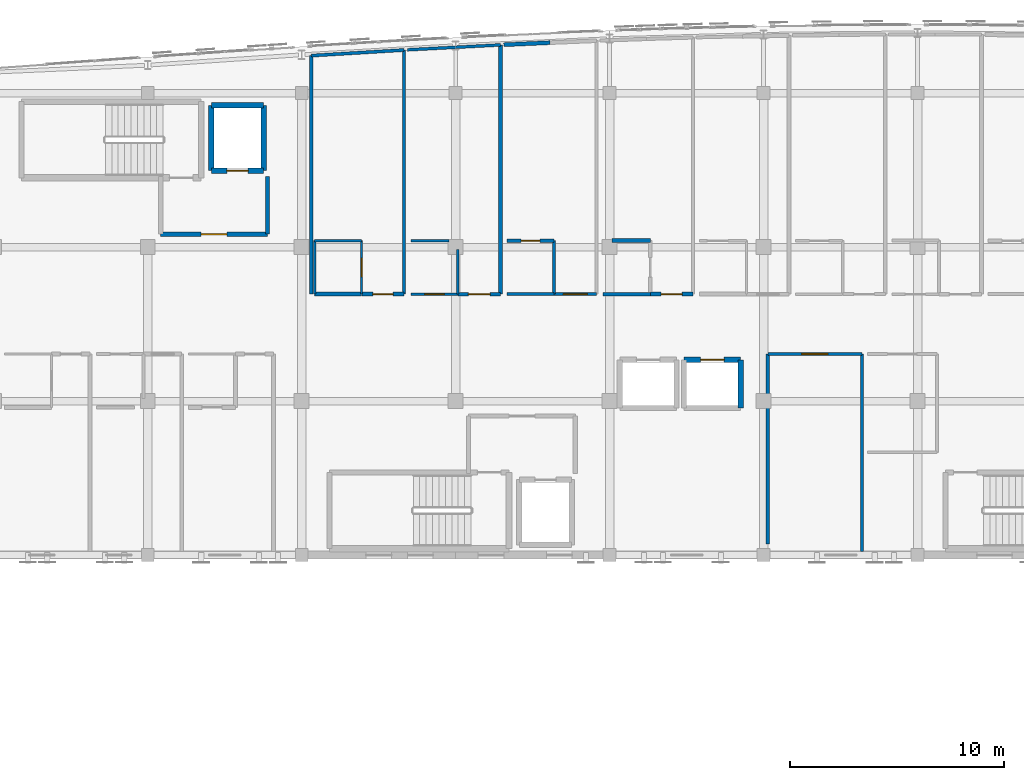
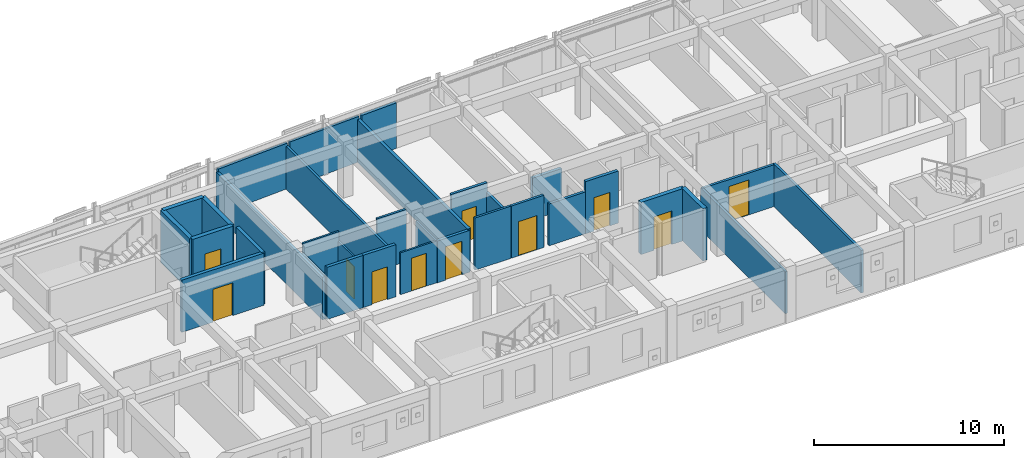
# One storey, part 40 of 50: 33 walls, 11 doors, 11 openings.
"""IFC4 building model written with IfcOpenShell, lengths in metres."""

from ifc_helpers import new_model, si_unit, direction, frame, frame_2d, origin, place, context, subcontext, project, spatial, rectangle, extrude, material, layer, layer_set, type_object, element, fill, save


model = new_model("IFC4")

# Units and contexts
model_context = context("Model", 3, precision=1e-05, world=origin(), true_north=direction((0.0, 1.0)))
body_context = subcontext(model_context, "Body", "Model", "MODEL_VIEW")
ifc_project = project(units=[si_unit("LENGTHUNIT", "METRE"), si_unit("AREAUNIT", "SQUARE_METRE"), si_unit("VOLUMEUNIT", "CUBIC_METRE"), si_unit("PLANEANGLEUNIT", "RADIAN"), si_unit("MASSUNIT", "GRAM", prefix="KILO")], contexts=[model_context])

# Site, building, storey
site_placement = place(None, origin())
site = spatial("IfcSite", under=ifc_project, at=site_placement, CompositionType="ELEMENT")
building_placement = place(site_placement, origin())
building = spatial("IfcBuilding", under=site, at=building_placement, Name="Carrowvane Square Congress Hotel", CompositionType="ELEMENT")
storey_placement = place(building_placement, frame((0.0, 0.0, 22.800048828125)))
storey = spatial("IfcBuildingStorey", under=building, at=storey_placement, Name="L05", CompositionType="ELEMENT", Elevation=22.800048828125)

# Walls
ifc_material_1 = material(Name="Acoustic gypsum board", Category="gypsum")
ifc_layer_1 = layer(ifc_material_1, 0.155029296875)
ifc_layer_set_1 = layer_set([ifc_layer_1], Name="Acoustic gypsum board")
wall_type_1 = type_object("IfcWallType", Name="WL-FIR-155", PredefinedType="PARTITIONING", material=ifc_layer_set_1)
wall_1_placement = place(storey_placement, frame((91.0, 92.320068359375, 0.0), z_axis=(0.0, 0.0, 1.0), x_axis=(0.0, 1.0, 0.0)))
element("IfcWall", 1, at=wall_1_placement, inside=storey, type_object=wall_type_1, Name="L05 L05 Housekeeping Linen Pantry partition", PredefinedType="PARTITIONING", context=body_context, shape_type="SweptSolid", body=[
    extrude(rectangle(XDim=8.8798828125, YDim=0.155029296875, at=frame_2d((4.43994140625, 0.0))), origin(), (0.0, 0.0, 1.0), 2.68505859375),
])
wall_2_placement = place(storey_placement, frame((69.64990234375, 104.0, 0.0), z_axis=(0.0, 0.0, 1.0), x_axis=(0.0, 1.0, 0.0)))
element("IfcWall", 2, at=wall_2_placement, inside=storey, type_object=wall_type_1, Name="L05 Parkview Guest Bedroom 0516 partition", PredefinedType="PARTITIONING", context=body_context, shape_type="SweptSolid", body=[
    extrude(rectangle(XDim=11.15234375, YDim=0.155029296875, at=frame_2d((5.576171875, 0.0))), origin(), (0.0, 0.0, 1.0), 2.73486328125),
])

# Wall, opening, door
wall_3_placement = place(storey_placement, frame((78.800048828125, 106.5, 0.0), z_axis=(0.0, 0.0, 1.0), x_axis=(1.0, 0.0, 0.0)))
wall_3 = element("IfcWall", 3, at=wall_3_placement, inside=storey, type_object=wall_type_1, Name="L05 En-suite Bathroom 0518 partition", PredefinedType="PARTITIONING", context=body_context, shape_type="SweptSolid", body=[
    extrude(rectangle(XDim=2.199951171875, YDim=0.155029296875, at=frame_2d((1.10009765625, 0.0))), origin(), (0.0, 0.0, 1.0), 3.349853515625),
])
opening_1_placement = place(wall_3_placement, frame((0.659912109375, 0.0, 0.0)))
opening_1 = element("IfcOpeningElement", 4, at=opening_1_placement, cuts=wall_3, Name="Opening ID-01", PredefinedType="OPENING", context=body_context, shape_type="SweptSolid", body=[
    extrude(rectangle(XDim=0.8798828125, YDim=2.06005859375, at=frame_2d((0.43994140625, 1.030029296875))), frame((0.0, 0.08740234375, 0.0), z_axis=(0.0, -1.0, 0.0), x_axis=(1.0, 0.0, 0.0)), (0.0, 0.0, 1.0), 0.175048828125),
])
ifc_material_2 = material(Name="European oak timber", Category="wood")
door_type_1 = type_object("IfcDoorType", Name="DR-INT-0880x2060", OperationType="NOTDEFINED", PredefinedType="DOOR", material=ifc_material_2)
door_1_placement = place(opening_1_placement, origin())
door_1 = element("IfcDoor", 5, at=door_1_placement, inside=storey, type_object=door_type_1, Name="L05 En-suite Bathroom 0518 door", OperationType="SINGLE_SWING_LEFT", OverallHeight=2.06005859375, OverallWidth=0.8798828125, PredefinedType="DOOR", context=body_context, shape_type="SweptSolid", body=[
    extrude(rectangle(XDim=0.8798828125, YDim=2.06005859375, at=frame_2d((0.43994140625, 1.030029296875))), frame((0.0, 0.02490234375, 0.0), z_axis=(0.0, -1.0, 0.0), x_axis=(1.0, 0.0, 0.0)), (0.0, 0.0, 1.0), 0.050048828125),
])
fill(opening_1, door_1)

# Wall
wall_4_placement = place(storey_placement, frame((85.5, 104.0, 0.0), z_axis=(0.0, 0.0, 1.0), x_axis=(-1.0, 0.0, 0.0)))
element("IfcWall", 6, at=wall_4_placement, inside=storey, type_object=wall_type_1, Name="L05 En-suite Bathroom 0519 partition", PredefinedType="PARTITIONING", context=body_context, shape_type="SweptSolid", body=[
    extrude(rectangle(XDim=2.199951171875, YDim=0.155029296875, at=frame_2d((1.10009765625, 0.0))), origin(), (0.0, 0.0, 1.0), 2.68505859375),
])

# Wall, opening, door
ifc_material_3 = material(Name="Acoustic gypsum board", Category="gypsum")
ifc_layer_2 = layer(ifc_material_3, 0.169921875)
ifc_layer_set_2 = layer_set([ifc_layer_2], Name="Acoustic gypsum board")
wall_type_2 = type_object("IfcWallType", Name="WL-FIR-170", PredefinedType="PARTITIONING", material=ifc_layer_set_2)
wall_5_placement = place(storey_placement, frame((78.489990234375, 104.0, 0.0), z_axis=(0.0, 0.0, 1.0), x_axis=(-1.0, 0.0, 0.0)))
wall_5 = element("IfcWall", 7, at=wall_5_placement, inside=storey, type_object=wall_type_2, Name="L05 Parkview Guest Bedroom 0517 partition", PredefinedType="PARTITIONING", context=body_context, shape_type="SweptSolid", body=[
    extrude(rectangle(XDim=1.97998046875, YDim=0.169921875, at=frame_2d((0.989990234375, 0.0))), origin(), (0.0, 0.0, 1.0), 2.68505859375),
])
opening_2_placement = place(wall_5_placement, frame((0.47998046875, 0.0, 0.0)))
opening_2 = element("IfcOpeningElement", 8, at=opening_2_placement, cuts=wall_5, Name="Opening FD-08", PredefinedType="OPENING", context=body_context, shape_type="SweptSolid", body=[
    extrude(rectangle(XDim=1.02001953125, YDim=2.14990234375, at=frame_2d((0.510009765625, 1.074951171875))), frame((0.0, 0.094970703125, 0.0), z_axis=(0.0, -1.0, 0.0), x_axis=(1.0, 0.0, 0.0)), (0.0, 0.0, 1.0), 0.18994140625),
])
ifc_material_4 = material(Name="European oak timber", Category="wood")
door_type_2 = type_object("IfcDoorType", Name="DR-FD30-1020x2150", OperationType="NOTDEFINED", PredefinedType="DOOR", material=ifc_material_4)
door_2_placement = place(opening_2_placement, origin())
door_2 = element("IfcDoor", 9, at=door_2_placement, inside=storey, type_object=door_type_2, Name="L05 Parkview Guest Bedroom 0517 entrance door", OperationType="SINGLE_SWING_RIGHT", OverallHeight=2.14990234375, OverallWidth=1.02001953125, PredefinedType="DOOR", context=body_context, shape_type="SweptSolid", body=[
    extrude(rectangle(XDim=1.02001953125, YDim=2.14990234375, at=frame_2d((0.510009765625, 1.074951171875))), frame((0.0, 0.02490234375, 0.0), z_axis=(0.0, -1.0, 0.0), x_axis=(1.0, 0.0, 0.0)), (0.0, 0.0, 1.0), 0.050048828125),
])
fill(opening_2, door_2)

# Wall
ifc_material_5 = material(Name="Acoustic gypsum board", Category="gypsum")
ifc_layer_3 = layer(ifc_material_5, 0.18505859375)
ifc_layer_set_3 = layer_set([ifc_layer_3], Name="Acoustic gypsum board")
wall_type_3 = type_object("IfcWallType", Name="WL-FIR-185", PredefinedType="PARTITIONING", material=ifc_layer_set_3)
wall_6_placement = place(storey_placement, frame((72.0, 104.0, 0.0), z_axis=(0.0, 0.0, 1.0), x_axis=(-1.0, 0.0, 0.0)))
element("IfcWall", 10, at=wall_6_placement, inside=storey, type_object=wall_type_3, Name="L05 En-suite Bathroom 0516 partition", PredefinedType="PARTITIONING", context=body_context, shape_type="SweptSolid", body=[
    extrude(rectangle(XDim=2.199951171875, YDim=0.18505859375, at=frame_2d((1.10009765625, 0.0))), origin(), (0.0, 0.0, 1.0), 3.349853515625),
])

# Wall, opening, door
wall_7_placement = place(storey_placement, frame((73.989990234375, 104.0, 0.0), z_axis=(0.0, 0.0, 1.0), x_axis=(-1.0, 0.0, 0.0)))
wall_7 = element("IfcWall", 11, at=wall_7_placement, inside=storey, type_object=wall_type_3, Name="L05 Parkview Guest Bedroom 0516 partition", PredefinedType="PARTITIONING", context=body_context, shape_type="SweptSolid", body=[
    extrude(rectangle(XDim=1.97998046875, YDim=0.18505859375, at=frame_2d((0.989990234375, 0.0))), origin(), (0.0, 0.0, 1.0), 3.349853515625),
])
opening_3_placement = place(wall_7_placement, frame((0.514892578125, 0.0, 0.0)))
opening_3 = element("IfcOpeningElement", 12, at=opening_3_placement, cuts=wall_7, Name="Opening FD-06", PredefinedType="OPENING", context=body_context, shape_type="SweptSolid", body=[
    extrude(rectangle(XDim=0.949951171875, YDim=2.10009765625, at=frame_2d((0.47509765625, 1.050048828125))), frame((0.0, 0.1025390625, 0.0), z_axis=(0.0, -1.0, 0.0), x_axis=(1.0, 0.0, 0.0)), (0.0, 0.0, 1.0), 0.205078125),
])
ifc_material_6 = material(Name="European oak timber", Category="wood")
door_type_3 = type_object("IfcDoorType", Name="DR-FD30-0950x2100", OperationType="NOTDEFINED", PredefinedType="DOOR", material=ifc_material_6)
door_3_placement = place(opening_3_placement, origin())
door_3 = element("IfcDoor", 13, at=door_3_placement, inside=storey, type_object=door_type_3, Name="L05 Parkview Guest Bedroom 0516 entrance door", OperationType="SINGLE_SWING_RIGHT", OverallHeight=2.10009765625, OverallWidth=0.949951171875, PredefinedType="DOOR", context=body_context, shape_type="SweptSolid", body=[
    extrude(rectangle(XDim=0.949951171875, YDim=2.10009765625, at=frame_2d((0.47509765625, 1.050048828125))), frame((0.0, 0.02490234375, 0.0), z_axis=(0.0, -1.0, 0.0), x_axis=(1.0, 0.0, 0.0)), (0.0, 0.0, 1.0), 0.050048828125),
])
fill(opening_3, door_3)

# Walls
wall_8_placement = place(storey_placement, frame((78.489990234375, 115.65283203125, 0.0), z_axis=(0.0, 0.0, 1.0), x_axis=(0.0, -1.0, 0.0)))
element("IfcWall", 14, at=wall_8_placement, inside=storey, type_object=wall_type_3, Name="L05 Parkview Guest Bedroom 0517 partition", PredefinedType="PARTITIONING", context=body_context, shape_type="SweptSolid", body=[
    extrude(rectangle(XDim=11.65283203125, YDim=0.18505859375, at=frame_2d((5.826416015625, 0.0))), origin(), (0.0, 0.0, 1.0), 2.73486328125),
])
wall_9_placement = place(storey_placement, frame((78.64990234375, 115.660888671875, 0.0), z_axis=(0.0, 0.0, 1.0), x_axis=(0.998953423906, 0.045739008159, 0.0)))
element("IfcWall", 15, at=wall_9_placement, inside=storey, type_object=wall_type_3, Name="L05 Parkview Guest Bedroom 0518 partition", PredefinedType="PARTITIONING", context=body_context, shape_type="SweptSolid", body=[
    extrude(rectangle(XDim=2.17236328125, YDim=0.18505859375, at=frame_2d((1.086181640625, 0.0))), origin(), (0.0, 0.0, 1.0), 2.925537109375),
])
wall_10_placement = place(storey_placement, frame((83.7099609375, 106.5, 0.0), z_axis=(0.0, 0.0, 1.0), x_axis=(1.0, 0.0, 0.0)))
element("IfcWall", 16, at=wall_10_placement, inside=storey, type_object=wall_type_3, Name="L05 En-suite Bathroom 0519 partition", PredefinedType="PARTITIONING", context=body_context, shape_type="SweptSolid", body=[
    extrude(rectangle(XDim=1.7900390625, YDim=0.18505859375, at=frame_2d((0.89501953125, 0.0))), origin(), (0.0, 0.0, 1.0), 2.68505859375),
])

# Wall, opening, door
wall_11_placement = place(storey_placement, frame((87.489990234375, 104.0, 0.0), z_axis=(0.0, 0.0, 1.0), x_axis=(-1.0, 0.0, 0.0)))
wall_11 = element("IfcWall", 17, at=wall_11_placement, inside=storey, type_object=wall_type_3, Name="L05 Parkview Guest Bedroom 0519 partition", PredefinedType="PARTITIONING", context=body_context, shape_type="SweptSolid", body=[
    extrude(rectangle(XDim=1.97998046875, YDim=0.18505859375, at=frame_2d((0.989990234375, 0.0))), origin(), (0.0, 0.0, 1.0), 3.349853515625),
])
opening_4_placement = place(wall_11_placement, frame((0.5, 0.0, 0.0)))
opening_4 = element("IfcOpeningElement", 18, at=opening_4_placement, cuts=wall_11, Name="Opening FD-07", PredefinedType="OPENING", context=body_context, shape_type="SweptSolid", body=[
    extrude(rectangle(XDim=0.97998046875, YDim=2.14990234375, at=frame_2d((0.489990234375, 1.074951171875))), frame((0.0, 0.1025390625, 0.0), z_axis=(0.0, -1.0, 0.0), x_axis=(1.0, 0.0, 0.0)), (0.0, 0.0, 1.0), 0.205078125),
])
ifc_material_7 = material(Name="European oak timber", Category="wood")
door_type_4 = type_object("IfcDoorType", Name="DR-FD30-0980x2150", OperationType="NOTDEFINED", PredefinedType="DOOR", material=ifc_material_7)
door_4_placement = place(opening_4_placement, origin())
door_4 = element("IfcDoor", 19, at=door_4_placement, inside=storey, type_object=door_type_4, Name="L05 Parkview Guest Bedroom 0519 entrance door", OperationType="SINGLE_SWING_RIGHT", OverallHeight=2.14990234375, OverallWidth=0.97998046875, PredefinedType="DOOR", context=body_context, shape_type="SweptSolid", body=[
    extrude(rectangle(XDim=0.97998046875, YDim=2.14990234375, at=frame_2d((0.489990234375, 1.074951171875))), frame((0.0, 0.02490234375, 0.0), z_axis=(0.0, -1.0, 0.0), x_axis=(1.0, 0.0, 0.0)), (0.0, 0.0, 1.0), 0.050048828125),
])
fill(opening_4, door_4)

ifc_material_8 = material(Name="Acoustic gypsum board", Category="gypsum")
ifc_layer_4 = layer(ifc_material_8, 0.205078125)
ifc_layer_set_4 = layer_set([ifc_layer_4], Name="Acoustic gypsum board")
wall_type_4 = type_object("IfcWallType", Name="WL-FIR-205", PredefinedType="PARTITIONING", material=ifc_layer_set_4)
wall_12_placement = place(storey_placement, frame((62.60009765625, 106.800048828125, 0.0), z_axis=(0.0, 0.0, 1.0), x_axis=(1.0, 0.0, 0.0)))
wall_12 = element("IfcWall", 20, at=wall_12_placement, inside=storey, type_object=wall_type_4, Name="L05 Firefighting Lobby C1 wall south", PredefinedType="PARTITIONING", context=body_context, shape_type="SweptSolid", body=[
    extrude(rectangle(XDim=5.0, YDim=0.205078125, at=frame_2d((2.5, 0.0))), origin(), (0.0, 0.0, 1.0), 3.349853515625),
])
opening_5_placement = place(wall_12_placement, frame((1.89990234375, 0.0, 0.0)))
opening_5 = element("IfcOpeningElement", 21, at=opening_5_placement, cuts=wall_12, Name="Opening FD-02", PredefinedType="OPENING", context=body_context, shape_type="SweptSolid", body=[
    extrude(rectangle(XDim=1.199951171875, YDim=2.10009765625, at=frame_2d((0.60009765625, 1.050048828125))), frame((0.0, 0.112548828125, 0.0), z_axis=(0.0, -1.0, 0.0), x_axis=(1.0, 0.0, 0.0)), (0.0, 0.0, 1.0), 0.22509765625),
])
ifc_material_9 = material(Name="European oak timber", Category="wood")
door_type_5 = type_object("IfcDoorType", Name="DR-FD60-1200x2100", OperationType="NOTDEFINED", PredefinedType="DOOR", material=ifc_material_9)
door_5_placement = place(opening_5_placement, origin())
door_5 = element("IfcDoor", 22, at=door_5_placement, inside=storey, type_object=door_type_5, Name="L05 Firefighting Lobby C1 entrance door", OperationType="SINGLE_SWING_RIGHT", OverallHeight=2.10009765625, OverallWidth=1.199951171875, PredefinedType="DOOR", context=body_context, shape_type="SweptSolid", body=[
    extrude(rectangle(XDim=1.199951171875, YDim=2.10009765625, at=frame_2d((0.60009765625, 1.050048828125))), frame((0.0, 0.02490234375, 0.0), z_axis=(0.0, -1.0, 0.0), x_axis=(1.0, 0.0, 0.0)), (0.0, 0.0, 1.0), 0.050048828125),
])
fill(opening_5, door_5)

# Wall
wall_13_placement = place(storey_placement, frame((67.60009765625, 106.800048828125, 0.0), z_axis=(0.0, 0.0, 1.0), x_axis=(0.0, 1.0, 0.0)))
element("IfcWall", 23, at=wall_13_placement, inside=storey, type_object=wall_type_4, Name="L05 Firefighting Lobby C1 wall east", PredefinedType="PARTITIONING", context=body_context, shape_type="SweptSolid", body=[
    extrude(rectangle(XDim=2.699951171875, YDim=0.205078125, at=frame_2d((1.35009765625, 0.0))), origin(), (0.0, 0.0, 1.0), 3.349853515625),
])

# Wall, opening, door
ifc_material_10 = material(Name="Acoustic gypsum board", Category="gypsum")
ifc_layer_5 = layer(ifc_material_10, 0.097900390625)
ifc_layer_set_5 = layer_set([ifc_layer_5], Name="Acoustic gypsum board")
wall_type_5 = type_object("IfcWallType", Name="WL-PRT-098", PredefinedType="PARTITIONING", material=ifc_layer_set_5)
wall_14_placement = place(storey_placement, frame((72.0, 106.5, 0.0), z_axis=(0.0, 0.0, 1.0), x_axis=(0.0, -1.0, 0.0)))
wall_14 = element("IfcWall", 24, at=wall_14_placement, inside=storey, type_object=wall_type_5, Name="L05 En-suite Bathroom 0516 partition", PredefinedType="PARTITIONING", context=body_context, shape_type="SweptSolid", body=[
    extrude(rectangle(XDim=2.5, YDim=0.097900390625, at=frame_2d((1.25, 0.0))), origin(), (0.0, 0.0, 1.0), 2.73486328125),
])
opening_6_placement = place(wall_14_placement, frame((0.81494140625, 0.0, 0.0)))
opening_6 = element("IfcOpeningElement", 25, at=opening_6_placement, cuts=wall_14, Name="Opening ID-15", PredefinedType="OPENING", context=body_context, shape_type="SweptSolid", body=[
    extrude(rectangle(XDim=0.8701171875, YDim=2.070068359375, at=frame_2d((0.43505859375, 1.03515625))), frame((0.0, 0.058837890625, 0.0), z_axis=(0.0, -1.0, 0.0), x_axis=(1.0, 0.0, 0.0)), (0.0, 0.0, 1.0), 0.117919921875),
])
ifc_material_11 = material(Name="European oak timber", Category="wood")
door_type_6 = type_object("IfcDoorType", Name="DR-INT-0870x2070", OperationType="NOTDEFINED", PredefinedType="DOOR", material=ifc_material_11)
door_6_placement = place(opening_6_placement, origin())
door_6 = element("IfcDoor", 26, at=door_6_placement, inside=storey, type_object=door_type_6, Name="L05 En-suite Bathroom 0516 door", OperationType="SINGLE_SWING_LEFT", OverallHeight=2.070068359375, OverallWidth=0.8701171875, PredefinedType="DOOR", context=body_context, shape_type="SweptSolid", body=[
    extrude(rectangle(XDim=0.8701171875, YDim=2.070068359375, at=frame_2d((0.43505859375, 1.03515625))), frame((0.0, 0.02490234375, 0.0), z_axis=(0.0, -1.0, 0.0), x_axis=(1.0, 0.0, 0.0)), (0.0, 0.0, 1.0), 0.050048828125),
])
fill(opening_6, door_6)

# Wall
ifc_material_12 = material(Name="Acoustic gypsum board", Category="gypsum")
ifc_layer_6 = layer(ifc_material_12, 0.10791015625)
ifc_layer_set_6 = layer_set([ifc_layer_6], Name="Acoustic gypsum board")
wall_type_6 = type_object("IfcWallType", Name="WL-PRT-108", PredefinedType="PARTITIONING", material=ifc_layer_set_6)
wall_15_placement = place(storey_placement, frame((69.800048828125, 106.5, 0.0), z_axis=(0.0, 0.0, 1.0), x_axis=(1.0, 0.0, 0.0)))
element("IfcWall", 27, at=wall_15_placement, inside=storey, type_object=wall_type_6, Name="L05 En-suite Bathroom 0516 partition", PredefinedType="PARTITIONING", context=body_context, shape_type="SweptSolid", body=[
    extrude(rectangle(XDim=2.199951171875, YDim=0.10791015625, at=frame_2d((1.10009765625, 0.0))), origin(), (0.0, 0.0, 1.0), 3.349853515625),
])

# Wall, opening, door
wall_16_placement = place(storey_placement, frame((76.5, 104.0, 0.0), z_axis=(0.0, 0.0, 1.0), x_axis=(-1.0, 0.0, 0.0)))
wall_16 = element("IfcWall", 28, at=wall_16_placement, inside=storey, type_object=wall_type_6, Name="L05 En-suite Bathroom 0517 partition", PredefinedType="PARTITIONING", context=body_context, shape_type="SweptSolid", body=[
    extrude(rectangle(XDim=2.199951171875, YDim=0.10791015625, at=frame_2d((1.10009765625, 0.0))), origin(), (0.0, 0.0, 1.0), 2.68505859375),
])
opening_7_placement = place(wall_16_placement, frame((0.64501953125, 0.0, 0.0)))
opening_7 = element("IfcOpeningElement", 29, at=opening_7_placement, cuts=wall_16, Name="Opening ID-17", PredefinedType="OPENING", context=body_context, shape_type="SweptSolid", body=[
    extrude(rectangle(XDim=0.909912109375, YDim=2.110107421875, at=frame_2d((0.455078125, 1.05517578125))), frame((0.0, 0.06396484375, 0.0), z_axis=(0.0, -1.0, 0.0), x_axis=(1.0, 0.0, 0.0)), (0.0, 0.0, 1.0), 0.1279296875),
])
ifc_material_13 = material(Name="European oak timber", Category="wood")
door_type_7 = type_object("IfcDoorType", Name="DR-INT-0910x2110", OperationType="NOTDEFINED", PredefinedType="DOOR", material=ifc_material_13)
door_7_placement = place(opening_7_placement, origin())
door_7 = element("IfcDoor", 30, at=door_7_placement, inside=storey, type_object=door_type_7, Name="L05 En-suite Bathroom 0517 door", OperationType="SINGLE_SWING_LEFT", OverallHeight=2.110107421875, OverallWidth=0.909912109375, PredefinedType="DOOR", context=body_context, shape_type="SweptSolid", body=[
    extrude(rectangle(XDim=0.909912109375, YDim=2.110107421875, at=frame_2d((0.455078125, 1.05517578125))), frame((0.0, 0.02490234375, 0.0), z_axis=(0.0, -1.0, 0.0), x_axis=(1.0, 0.0, 0.0)), (0.0, 0.0, 1.0), 0.050048828125),
])
fill(opening_7, door_7)

# Walls
ifc_material_14 = material(Name="Acoustic gypsum board", Category="gypsum")
ifc_layer_7 = layer(ifc_material_14, 0.117919921875)
ifc_layer_set_7 = layer_set([ifc_layer_7], Name="Acoustic gypsum board")
wall_type_7 = type_object("IfcWallType", Name="WL-PRT-118", PredefinedType="PARTITIONING", material=ifc_layer_set_7)
wall_17_placement = place(storey_placement, frame((69.800048828125, 104.0, 0.0), z_axis=(0.0, 0.0, 1.0), x_axis=(0.0, 1.0, 0.0)))
element("IfcWall", 31, at=wall_17_placement, inside=storey, type_object=wall_type_7, Name="L05 En-suite Bathroom 0516 partition", PredefinedType="PARTITIONING", context=body_context, shape_type="SweptSolid", body=[
    extrude(rectangle(XDim=2.5, YDim=0.117919921875, at=frame_2d((1.25, 0.0))), origin(), (0.0, 0.0, 1.0), 2.73486328125),
])
wall_18_placement = place(storey_placement, frame((76.5, 106.090087890625, 0.0), z_axis=(0.0, 0.0, 1.0), x_axis=(0.0, -1.0, 0.0)))
element("IfcWall", 32, at=wall_18_placement, inside=storey, type_object=wall_type_7, Name="L05 En-suite Bathroom 0517 partition", PredefinedType="PARTITIONING", context=body_context, shape_type="SweptSolid", body=[
    extrude(rectangle(XDim=2.090087890625, YDim=0.117919921875, at=frame_2d((1.044921875, 0.0))), origin(), (0.0, 0.0, 1.0), 2.68505859375),
])
ifc_material_15 = material(Name="Acoustic gypsum board", Category="gypsum")
ifc_layer_8 = layer(ifc_material_15, 0.1279296875)
ifc_layer_set_8 = layer_set([ifc_layer_8], Name="Acoustic gypsum board")
wall_type_8 = type_object("IfcWallType", Name="WL-PRT-128", PredefinedType="PARTITIONING", material=ifc_layer_set_8)
wall_19_placement = place(storey_placement, frame((74.300048828125, 106.5, 0.0), z_axis=(0.0, 0.0, 1.0), x_axis=(1.0, 0.0, 0.0)))
element("IfcWall", 33, at=wall_19_placement, inside=storey, type_object=wall_type_8, Name="L05 En-suite Bathroom 0517 partition", PredefinedType="PARTITIONING", context=body_context, shape_type="SweptSolid", body=[
    extrude(rectangle(XDim=1.7900390625, YDim=0.1279296875, at=frame_2d((0.89501953125, 0.0))), origin(), (0.0, 0.0, 1.0), 3.349853515625),
])
ifc_material_16 = material(Name="Acoustic gypsum board", Category="gypsum")
ifc_layer_9 = layer(ifc_material_16, 0.137939453125)
ifc_layer_set_9 = layer_set([ifc_layer_9], Name="Acoustic gypsum board")
wall_type_9 = type_object("IfcWallType", Name="WL-PRT-138", PredefinedType="PARTITIONING", material=ifc_layer_set_9)
wall_20_placement = place(storey_placement, frame((95.39990234375, 101.199951171875, 0.0), z_axis=(0.0, 0.0, 1.0), x_axis=(0.0, -1.0, 0.0)))
element("IfcWall", 34, at=wall_20_placement, inside=storey, type_object=wall_type_9, Name="L05 L05 Housekeeping Linen Pantry partition", PredefinedType="PARTITIONING", context=body_context, shape_type="SweptSolid", body=[
    extrude(rectangle(XDim=9.239990234375, YDim=0.137939453125, at=frame_2d((4.6201171875, 0.0))), origin(), (0.0, 0.0, 1.0), 2.73486328125),
])
wall_21_placement = place(storey_placement, frame((73.989990234375, 115.415283203125, 0.0), z_axis=(0.0, 0.0, 1.0), x_axis=(0.0, -1.0, 0.0)))
element("IfcWall", 35, at=wall_21_placement, inside=storey, type_object=wall_type_9, Name="L05 Parkview Guest Bedroom 0516 partition", PredefinedType="PARTITIONING", context=body_context, shape_type="SweptSolid", body=[
    extrude(rectangle(XDim=11.415283203125, YDim=0.137939453125, at=frame_2d((5.70751953125, 0.0))), origin(), (0.0, 0.0, 1.0), 2.73486328125),
])
wall_22_placement = place(storey_placement, frame((74.14990234375, 115.424072265625, 0.0), z_axis=(0.0, 0.0, 1.0), x_axis=(0.998613791759, 0.052635490965, 0.0)))
element("IfcWall", 36, at=wall_22_placement, inside=storey, type_object=wall_type_9, Name="L05 Parkview Guest Bedroom 0517 partition", PredefinedType="PARTITIONING", context=body_context, shape_type="SweptSolid", body=[
    extrude(rectangle(XDim=4.34619140625, YDim=0.137939453125, at=frame_2d((2.173095703125, 0.0))), origin(), (0.0, 0.0, 1.0), 2.925537109375),
])
wall_23_placement = place(storey_placement, frame((81.0, 104.0, 0.0), z_axis=(0.0, 0.0, 1.0), x_axis=(-1.0, 0.0, 0.0)))
element("IfcWall", 37, at=wall_23_placement, inside=storey, type_object=wall_type_9, Name="L05 En-suite Bathroom 0518 partition", PredefinedType="PARTITIONING", context=body_context, shape_type="SweptSolid", body=[
    extrude(rectangle(XDim=2.199951171875, YDim=0.137939453125, at=frame_2d((1.10009765625, 0.0))), origin(), (0.0, 0.0, 1.0), 3.349853515625),
])

# Wall, opening, door
ifc_material_17 = material(Name="Acoustic gypsum board", Category="gypsum")
ifc_layer_10 = layer(ifc_material_17, 0.14794921875)
ifc_layer_set_10 = layer_set([ifc_layer_10], Name="Acoustic gypsum board")
wall_type_10 = type_object("IfcWallType", Name="WL-PRT-148", PredefinedType="PARTITIONING", material=ifc_layer_set_10)
wall_24_placement = place(storey_placement, frame((91.0, 101.199951171875, 0.0), z_axis=(0.0, 0.0, 1.0), x_axis=(1.0, 0.0, 0.0)))
wall_24 = element("IfcWall", 38, at=wall_24_placement, inside=storey, type_object=wall_type_10, Name="L05 L05 Housekeeping Linen Pantry partition", PredefinedType="PARTITIONING", context=body_context, shape_type="SweptSolid", body=[
    extrude(rectangle(XDim=4.39990234375, YDim=0.14794921875, at=frame_2d((2.199951171875, 0.0))), origin(), (0.0, 0.0, 1.0), 2.68505859375),
])
opening_8_placement = place(wall_24_placement, frame((1.590087890625, 0.0, 0.0)))
opening_8 = element("IfcOpeningElement", 39, at=opening_8_placement, cuts=wall_24, Name="Opening ID-24", PredefinedType="OPENING", context=body_context, shape_type="SweptSolid", body=[
    extrude(rectangle(XDim=1.219970703125, YDim=2.239990234375, at=frame_2d((0.60986328125, 1.1201171875))), frame((0.0, 0.083984375, 0.0), z_axis=(0.0, -1.0, 0.0), x_axis=(1.0, 0.0, 0.0)), (0.0, 0.0, 1.0), 0.16796875),
])
ifc_material_18 = material(Name="European oak timber", Category="wood")
door_type_8 = type_object("IfcDoorType", Name="DR-INT-1220x2240", OperationType="NOTDEFINED", PredefinedType="DOOR", material=ifc_material_18)
door_8_placement = place(opening_8_placement, origin())
door_8 = element("IfcDoor", 40, at=door_8_placement, inside=storey, type_object=door_type_8, Name="L05 L05 Housekeeping Linen Pantry entrance door", OperationType="SINGLE_SWING_RIGHT", OverallHeight=2.239990234375, OverallWidth=1.219970703125, PredefinedType="DOOR", context=body_context, shape_type="SweptSolid", body=[
    extrude(rectangle(XDim=1.219970703125, YDim=2.239990234375, at=frame_2d((0.60986328125, 1.1201171875))), frame((0.0, 0.02490234375, 0.0), z_axis=(0.0, -1.0, 0.0), x_axis=(1.0, 0.0, 0.0)), (0.0, 0.0, 1.0), 0.050048828125),
])
fill(opening_8, door_8)

# Walls
wall_25_placement = place(storey_placement, frame((69.64990234375, 115.15234375, 0.0), z_axis=(0.0, 0.0, 1.0), x_axis=(0.998169832058, 0.060473021833, 0.0)))
element("IfcWall", 41, at=wall_25_placement, inside=storey, type_object=wall_type_10, Name="L05 Parkview Guest Bedroom 0516 partition", PredefinedType="PARTITIONING", context=body_context, shape_type="SweptSolid", body=[
    extrude(rectangle(XDim=4.34814453125, YDim=0.14794921875, at=frame_2d((2.174072265625, 0.0))), origin(), (0.0, 0.0, 1.0), 2.925537109375),
])
wall_26_placement = place(storey_placement, frame((81.0, 106.5, 0.0), z_axis=(0.0, 0.0, 1.0), x_axis=(0.0, -1.0, 0.0)))
element("IfcWall", 42, at=wall_26_placement, inside=storey, type_object=wall_type_10, Name="L05 En-suite Bathroom 0518 partition", PredefinedType="PARTITIONING", context=body_context, shape_type="SweptSolid", body=[
    extrude(rectangle(XDim=2.5, YDim=0.14794921875, at=frame_2d((1.25, 0.0))), origin(), (0.0, 0.0, 1.0), 2.73486328125),
])

# Wall, opening, door
wall_27_placement = place(storey_placement, frame((82.989990234375, 104.0, 0.0), z_axis=(0.0, 0.0, 1.0), x_axis=(-1.0, 0.0, 0.0)))
wall_27 = element("IfcWall", 43, at=wall_27_placement, inside=storey, type_object=wall_type_10, Name="L05 Parkview Guest Bedroom 0518 partition", PredefinedType="PARTITIONING", context=body_context, shape_type="SweptSolid", body=[
    extrude(rectangle(XDim=1.97998046875, YDim=0.14794921875, at=frame_2d((0.989990234375, 0.0))), origin(), (0.0, 0.0, 1.0), 3.349853515625),
])
opening_9_placement = place(wall_27_placement, frame((0.429931640625, 0.0, 0.0)))
opening_9 = element("IfcOpeningElement", 44, at=opening_9_placement, cuts=wall_27, Name="Opening FD-10", PredefinedType="OPENING", context=body_context, shape_type="SweptSolid", body=[
    extrude(rectangle(XDim=1.1201171875, YDim=2.199951171875, at=frame_2d((0.56005859375, 1.10009765625))), frame((0.0, 0.083984375, 0.0), z_axis=(0.0, -1.0, 0.0), x_axis=(1.0, 0.0, 0.0)), (0.0, 0.0, 1.0), 0.16796875),
])
ifc_material_19 = material(Name="European oak timber", Category="wood")
door_type_9 = type_object("IfcDoorType", Name="DR-FD30-1120x2200", OperationType="NOTDEFINED", PredefinedType="DOOR", material=ifc_material_19)
door_9_placement = place(opening_9_placement, origin())
door_9 = element("IfcDoor", 45, at=door_9_placement, inside=storey, type_object=door_type_9, Name="L05 Parkview Guest Bedroom 0518 entrance door", OperationType="SINGLE_SWING_RIGHT", OverallHeight=2.199951171875, OverallWidth=1.1201171875, PredefinedType="DOOR", context=body_context, shape_type="SweptSolid", body=[
    extrude(rectangle(XDim=1.1201171875, YDim=2.199951171875, at=frame_2d((0.56005859375, 1.10009765625))), frame((0.0, 0.02490234375, 0.0), z_axis=(0.0, -1.0, 0.0), x_axis=(1.0, 0.0, 0.0)), (0.0, 0.0, 1.0), 0.050048828125),
])
fill(opening_9, door_9)

ifc_material_20 = material(Name="Concrete C40/50", Category="concrete")
ifc_layer_11 = layer(ifc_material_20, 0.25)
ifc_layer_set_11 = layer_set([ifc_layer_11], Name="Concrete C40/50")
wall_type_11 = type_object("IfcWallType", Name="WL-SHR-250", PredefinedType="SHEAR", material=ifc_layer_set_11)
wall_28_placement = place(storey_placement, frame((64.97509765625, 109.77490234375, 0.0), z_axis=(0.0, 0.0, 1.0), x_axis=(1.0, 0.0, 0.0)))
wall_28 = element("IfcWall", 46, at=wall_28_placement, inside=storey, type_object=wall_type_11, Name="L05 FFL-1 shaft wall south", PredefinedType="SHEAR", context=body_context, shape_type="SweptSolid", body=[
    extrude(rectangle(XDim=2.449951171875, YDim=0.25, at=frame_2d((1.22509765625, 0.0))), origin(), (0.0, 0.0, 1.0), 3.349853515625),
])
opening_10_placement = place(wall_28_placement, frame((0.72509765625, 0.0, 0.0)))
opening_10 = element("IfcOpeningElement", 47, at=opening_10_placement, cuts=wall_28, Name="Opening LD-FFL-1", PredefinedType="OPENING", context=body_context, shape_type="SweptSolid", body=[
    extrude(rectangle(XDim=1.0, YDim=2.14990234375, at=frame_2d((0.5, 1.074951171875))), frame((0.0, 0.135009765625, 0.0), z_axis=(0.0, -1.0, 0.0), x_axis=(1.0, 0.0, 0.0)), (0.0, 0.0, 1.0), 0.27001953125),
])
ifc_material_21 = material(Name="Stainless steel 316", Category="steel")
door_type_10 = type_object("IfcDoorType", Name="DR-LD-1000x2150", OperationType="DOUBLE_DOOR_SLIDING", PredefinedType="DOOR", material=ifc_material_21)
door_10_placement = place(opening_10_placement, origin())
door_10 = element("IfcDoor", 48, at=door_10_placement, inside=storey, type_object=door_type_10, Name="L05 FFL-1 sliding lift landing door", OperationType="DOUBLE_DOOR_SLIDING", OverallHeight=2.14990234375, OverallWidth=1.0, PredefinedType="DOOR", context=body_context, shape_type="SweptSolid", body=[
    extrude(rectangle(XDim=1.0, YDim=2.14990234375, at=frame_2d((0.5, 1.074951171875))), frame((0.0, 0.02490234375, 0.0), z_axis=(0.0, -1.0, 0.0), x_axis=(1.0, 0.0, 0.0)), (0.0, 0.0, 1.0), 0.050048828125),
])
fill(opening_10, door_10)

# Walls
wall_29_placement = place(storey_placement, frame((67.425048828125, 109.77490234375, 0.0), z_axis=(0.0, 0.0, 1.0), x_axis=(0.0, 1.0, 0.0)))
element("IfcWall", 49, at=wall_29_placement, inside=storey, type_object=wall_type_11, Name="L05 FFL-1 shaft wall east", PredefinedType="SHEAR", context=body_context, shape_type="SweptSolid", body=[
    extrude(rectangle(XDim=3.050048828125, YDim=0.25, at=frame_2d((1.52490234375, 0.0))), origin(), (0.0, 0.0, 1.0), 3.349853515625),
])
wall_30_placement = place(storey_placement, frame((67.425048828125, 112.824951171875, 0.0), z_axis=(0.0, 0.0, 1.0), x_axis=(-1.0, 0.0, 0.0)))
element("IfcWall", 50, at=wall_30_placement, inside=storey, type_object=wall_type_11, Name="L05 FFL-1 shaft wall north", PredefinedType="SHEAR", context=body_context, shape_type="SweptSolid", body=[
    extrude(rectangle(XDim=2.449951171875, YDim=0.25, at=frame_2d((1.22509765625, 0.0))), origin(), (0.0, 0.0, 1.0), 3.349853515625),
])
wall_31_placement = place(storey_placement, frame((64.97509765625, 112.824951171875, 0.0), z_axis=(0.0, 0.0, 1.0), x_axis=(0.0, -1.0, 0.0)))
element("IfcWall", 51, at=wall_31_placement, inside=storey, type_object=wall_type_11, Name="L05 FFL-1 shaft wall west", PredefinedType="SHEAR", context=body_context, shape_type="SweptSolid", body=[
    extrude(rectangle(XDim=3.050048828125, YDim=0.25, at=frame_2d((1.52490234375, 0.0))), origin(), (0.0, 0.0, 1.0), 3.349853515625),
])
wall_32_placement = place(storey_placement, frame((89.72509765625, 98.675048828125, 0.0), z_axis=(0.0, 0.0, 1.0), x_axis=(0.0, 1.0, 0.0)))
element("IfcWall", 52, at=wall_32_placement, inside=storey, type_object=wall_type_11, Name="L05 HL-2 shaft wall east", PredefinedType="SHEAR", context=body_context, shape_type="SweptSolid", body=[
    extrude(rectangle(XDim=2.25, YDim=0.25, at=frame_2d((1.125, 0.0))), origin(), (0.0, 0.0, 1.0), 3.349853515625),
])

# Wall, opening, door
wall_33_placement = place(storey_placement, frame((89.72509765625, 100.925048828125, 0.0), z_axis=(0.0, 0.0, 1.0), x_axis=(-1.0, 0.0, 0.0)))
wall_33 = element("IfcWall", 53, at=wall_33_placement, inside=storey, type_object=wall_type_11, Name="L05 HL-2 shaft wall north", PredefinedType="SHEAR", context=body_context, shape_type="SweptSolid", body=[
    extrude(rectangle(XDim=2.650146484375, YDim=0.25, at=frame_2d((1.3251953125, 0.0))), origin(), (0.0, 0.0, 1.0), 3.349853515625),
])
opening_11_placement = place(wall_33_placement, frame((0.77490234375, 0.0, 0.0)))
opening_11 = element("IfcOpeningElement", 54, at=opening_11_placement, cuts=wall_33, Name="Opening LD-HL-2", PredefinedType="OPENING", context=body_context, shape_type="SweptSolid", body=[
    extrude(rectangle(XDim=1.10009765625, YDim=2.14990234375, at=frame_2d((0.550048828125, 1.074951171875))), frame((0.0, 0.135009765625, 0.0), z_axis=(0.0, -1.0, 0.0), x_axis=(1.0, 0.0, 0.0)), (0.0, 0.0, 1.0), 0.27001953125),
])
ifc_material_22 = material(Name="Stainless steel 316", Category="steel")
door_type_11 = type_object("IfcDoorType", Name="DR-LD-1100x2150", OperationType="DOUBLE_DOOR_SLIDING", PredefinedType="DOOR", material=ifc_material_22)
door_11_placement = place(opening_11_placement, origin())
door_11 = element("IfcDoor", 55, at=door_11_placement, inside=storey, type_object=door_type_11, Name="L05 HL-2 sliding lift landing door", OperationType="DOUBLE_DOOR_SLIDING", OverallHeight=2.14990234375, OverallWidth=1.10009765625, PredefinedType="DOOR", context=body_context, shape_type="SweptSolid", body=[
    extrude(rectangle(XDim=1.10009765625, YDim=2.14990234375, at=frame_2d((0.550048828125, 1.074951171875))), frame((0.0, 0.02490234375, 0.0), z_axis=(0.0, -1.0, 0.0), x_axis=(1.0, 0.0, 0.0)), (0.0, 0.0, 1.0), 0.050048828125),
])
fill(opening_11, door_11)

save(model, "model.ifc")
